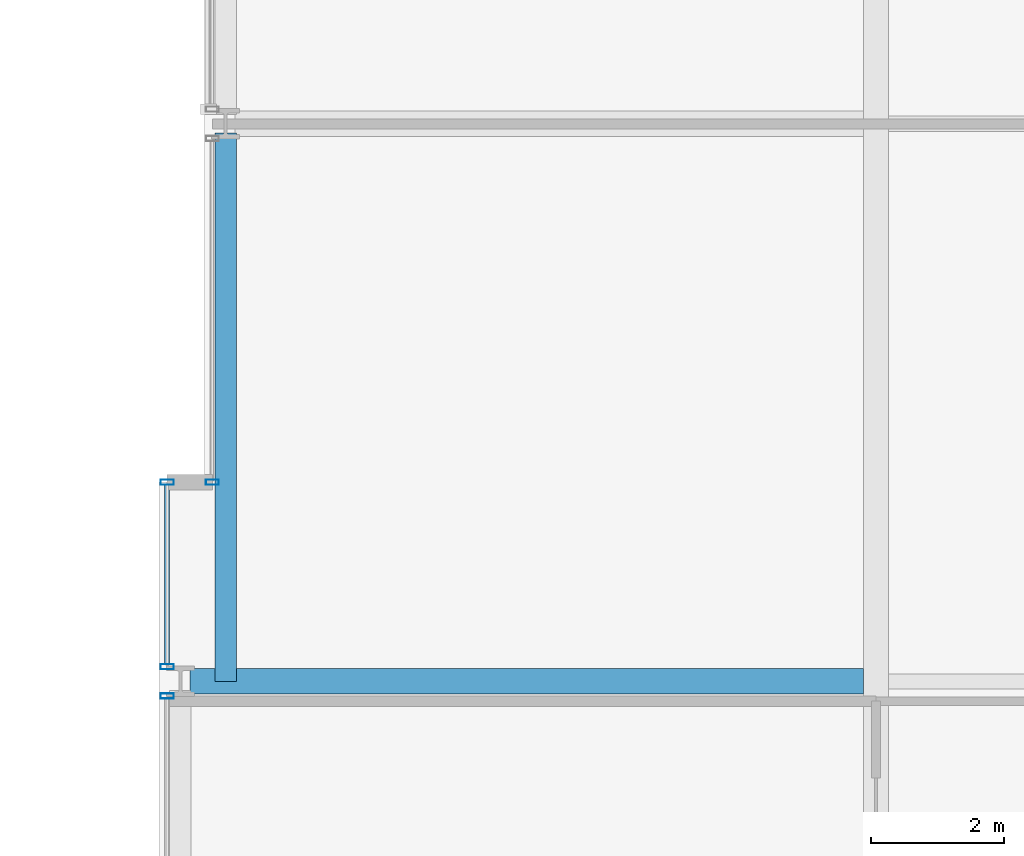
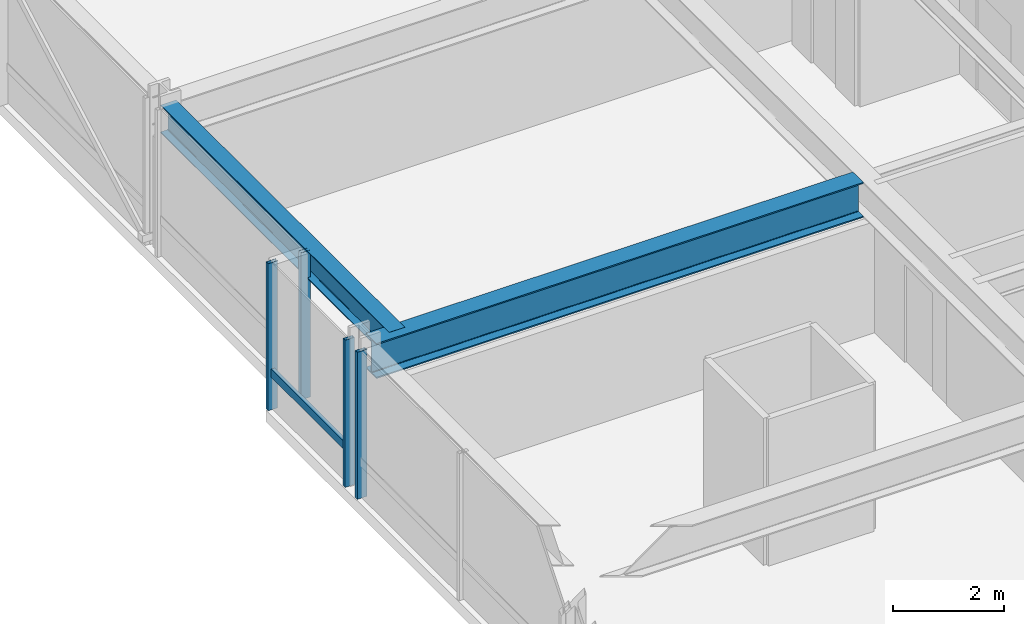
# One storey, part 7 of 34: 5 members, 2 beams, 3 elements without a shape of their own.
"""IFC4 building model written with IfcOpenShell, lengths in metres."""

from ifc_helpers import new_model, si_unit, direction, frame, origin, origin_2d, place, context, subcontext, project, spatial, hollow_rectangle, i_section, extrude, material, layer, layer_set, material_profile, profile_set, type_object, element, aggregate, save


model = new_model("IFC4")

# Units and contexts
model_context = context("Model", 3, precision=1e-05, world=origin(), true_north=direction((0.0, 1.0)))
body_context = subcontext(model_context, "Body", "Model", "MODEL_VIEW")
ifc_project = project(units=[si_unit("LENGTHUNIT", "METRE"), si_unit("AREAUNIT", "SQUARE_METRE"), si_unit("VOLUMEUNIT", "CUBIC_METRE"), si_unit("PLANEANGLEUNIT", "RADIAN"), si_unit("MASSUNIT", "GRAM", prefix="KILO")], contexts=[model_context])

# Site, building, storey
site_placement = place(None, origin())
site = spatial("IfcSite", under=ifc_project, at=site_placement, CompositionType="ELEMENT")
building_placement = place(site_placement, origin())
building = spatial("IfcBuilding", under=site, at=building_placement, Name="Drelvath Grand Hotel", CompositionType="ELEMENT")
storey_placement = place(building_placement, frame((0.0, 0.0, 102.300048828125)))
storey = spatial("IfcBuildingStorey", under=building, at=storey_placement, Name="L25", CompositionType="ELEMENT", Elevation=102.300048828125)

# Curtain wall, member
ifc_material_1 = material(Name="Champagne Bronze Anodised Aluminium Frame", Category="aluminium")
ifc_layer = layer(ifc_material_1, 0.199951171875)
ifc_layer_set = layer_set([ifc_layer], Name="Champagne Bronze Anodised Aluminium Frame")
curtain_wall_type = type_object("IfcCurtainWallType", Name="Stick Curtain Wall CW-03 Champagne Bronze Mid-Rise", PredefinedType="NOTDEFINED", material=ifc_layer_set)
curtain_wall_1_placement = place(storey_placement, origin())
curtain_wall_1 = element("IfcCurtainWall", 1, at=curtain_wall_1_placement, inside=storey, type_object=curtain_wall_type, Name="L25 CW-03 Curtain Wall CW03-L25-WS3", PredefinedType="NOTDEFINED")
ifc_material_profile_1 = material_profile(ifc_material_1, hollow_rectangle(XDim=0.074951171875, YDim=0.179931640625, WallThickness=0.0048828125, at=origin_2d()), Name="HSS180X75X5")
ifc_profile_set_1 = profile_set([ifc_material_profile_1], Name="Champagne Bronze Anodised Aluminium Frame")
member_type_1 = type_object("IfcMemberType", Name="Curtain Wall Horizontal Transom CW-03 HSS180X75X5", PredefinedType="USERDEFINED", material=ifc_profile_set_1)
member_1_placement = place(storey_placement, frame((-26.8798828125, 18.859619140625, 0.81005859375), z_axis=(0.0, 1.0, 0.0), x_axis=(-1.0, 0.0, 0.0)))
member_1 = element("IfcMember", 2, at=member_1_placement, type_object=member_type_1, Name="CW03-L25-WS3 Sill Transom", ObjectType="TRANSOM", PredefinedType="USERDEFINED", context=body_context, shape_type="SweptSolid", body=[
    extrude(hollow_rectangle(XDim=0.074951171875, YDim=0.179931640625, WallThickness=0.0048828125, at=origin_2d()), origin(), (0.0, 0.0, 1.0), 2.700439453125),
])

curtain_wall_2_placement = place(storey_placement, origin())
curtain_wall_2 = element("IfcCurtainWall", 3, at=curtain_wall_2_placement, inside=storey, type_object=curtain_wall_type, Name="L25 CW-03 Curtain Wall CW03-L25-WS2", PredefinedType="NOTDEFINED")
ifc_material_profile_2 = material_profile(ifc_material_1, hollow_rectangle(XDim=0.080078125, YDim=0.199951171875, WallThickness=0.0048828125, at=origin_2d()), Name="HSS200X80X5")
ifc_profile_set_2 = profile_set([ifc_material_profile_2], Name="Champagne Bronze Anodised Aluminium Frame")
member_type_2 = type_object("IfcMemberType", Name="Curtain Wall Vertical Mullion CW-03 HSS200X80X5", PredefinedType="MULLION", material=ifc_profile_set_2)
member_2_placement = place(storey_placement, frame((-26.8798828125, 18.38037109375, 0.0), z_axis=(0.0, 0.0, 1.0), x_axis=(0.0, 1.0, 0.0)))
member_2 = element("IfcMember", 4, at=member_2_placement, type_object=member_type_2, Name="CW03-L25-WS2 Mullion 3", PredefinedType="MULLION", context=body_context, shape_type="SweptSolid", body=[
    extrude(hollow_rectangle(XDim=0.080078125, YDim=0.199951171875, WallThickness=0.0048828125, at=origin_2d()), origin(), (0.0, 0.0, 1.0), 3.239990234375),
])
aggregate(curtain_wall_2, [member_2])

# Member
member_3_placement = place(storey_placement, frame((-26.8798828125, 18.819580078125, 0.0), z_axis=(0.0, 0.0, 1.0), x_axis=(0.0, 1.0, 0.0)))
member_3 = element("IfcMember", 5, at=member_3_placement, type_object=member_type_2, Name="CW03-L25-WS3 Mullion 1", PredefinedType="MULLION", context=body_context, shape_type="SweptSolid", body=[
    extrude(hollow_rectangle(XDim=0.080078125, YDim=0.199951171875, WallThickness=0.0048828125, at=origin_2d()), origin(), (0.0, 0.0, 1.0), 3.239990234375),
])

member_4_placement = place(storey_placement, frame((-26.8798828125, 21.60009765625, 0.0), z_axis=(0.0, 0.0, 1.0), x_axis=(0.0, 1.0, 0.0)))
member_4 = element("IfcMember", 6, at=member_4_placement, type_object=member_type_2, Name="CW03-L25-WS3 Mullion 2", PredefinedType="MULLION", context=body_context, shape_type="SweptSolid", body=[
    extrude(hollow_rectangle(XDim=0.080078125, YDim=0.199951171875, WallThickness=0.0048828125, at=origin_2d()), origin(), (0.0, 0.0, 1.0), 3.239990234375),
])

aggregate(curtain_wall_1, [member_3, member_4, member_1])

# Curtain wall, member
curtain_wall_3_placement = place(storey_placement, origin())
curtain_wall_3 = element("IfcCurtainWall", 7, at=curtain_wall_3_placement, inside=storey, type_object=curtain_wall_type, Name="L25 CW-03 Curtain Wall CW03-L25-WM1", PredefinedType="NOTDEFINED")
member_5_placement = place(storey_placement, frame((-26.199951171875, 21.60009765625, 0.0), z_axis=(0.0, 0.0, 1.0), x_axis=(0.0, 1.0, 0.0)))
member_5 = element("IfcMember", 8, at=member_5_placement, type_object=member_type_2, Name="CW03-L25-WM1 Mullion 1", PredefinedType="MULLION", context=body_context, shape_type="SweptSolid", body=[
    extrude(hollow_rectangle(XDim=0.080078125, YDim=0.199951171875, WallThickness=0.0048828125, at=origin_2d()), origin(), (0.0, 0.0, 1.0), 3.239990234375),
])
aggregate(curtain_wall_3, [member_5])

# Beams
ifc_material_2 = material(Name="Steel ASTM A992 Gr 50", Category="steel")
ifc_material_profile_3 = material_profile(ifc_material_2, i_section(OverallWidth=0.323974609375, OverallDepth=0.611083984375, WebThickness=0.0126953125, FlangeThickness=0.01904296875, FilletRadius=0.02197265625, at=origin_2d()), Name="W24X104")
ifc_profile_set_3 = profile_set([ifc_material_profile_3], Name="Steel ASTM A992 Gr 50")
beam_type_1 = type_object("IfcBeamType", Name="Perimeter Spandrel Beam W24X104", PredefinedType="SPANDREL", material=ifc_profile_set_3)
beam_1_placement = place(storey_placement, frame((-26.0, 18.60009765625, 2.9345703125), z_axis=(0.0, 1.0, 0.0), x_axis=(-1.0, 0.0, 0.0)))
element("IfcBeam", 9, at=beam_1_placement, inside=storey, type_object=beam_type_1, Name="L25 Spandrel West Mid S", PredefinedType="SPANDREL", context=body_context, shape_type="SweptSolid", body=[
    extrude(i_section(OverallWidth=0.323974609375, OverallDepth=0.611083984375, WebThickness=0.0126953125, FlangeThickness=0.01904296875, FilletRadius=0.02197265625, at=origin_2d()), origin(), (0.0, 0.0, 1.0), 8.260009765625),
])
ifc_material_profile_4 = material_profile(ifc_material_2, i_section(OverallWidth=0.380615234375, OverallDepth=0.773193359375, WebThickness=0.0166015625, FlangeThickness=0.027099609375, FilletRadius=0.02490234375, at=origin_2d()), Name="W30X173")
ifc_profile_set_4 = profile_set([ifc_material_profile_4], Name="Steel ASTM A992 Gr 50")
beam_type_2 = type_object("IfcBeamType", Name="Primary Floor Girder W30X173", PredefinedType="BEAM", material=ifc_profile_set_4)
beam_2_placement = place(storey_placement, frame((-26.5400390625, 18.60009765625, 2.853271484375), z_axis=(1.0, 0.0, 0.0), x_axis=(0.0, 1.0, 0.0)))
element("IfcBeam", 10, at=beam_2_placement, inside=storey, type_object=beam_type_2, Name="L25 West Wing Girder D", PredefinedType="BEAM", context=body_context, shape_type="SweptSolid", body=[
    extrude(i_section(OverallWidth=0.380615234375, OverallDepth=0.773193359375, WebThickness=0.0166015625, FlangeThickness=0.027099609375, FilletRadius=0.02490234375, at=origin_2d()), origin(), (0.0, 0.0, 1.0), 10.149658203125),
])

save(model, "model.ifc")
